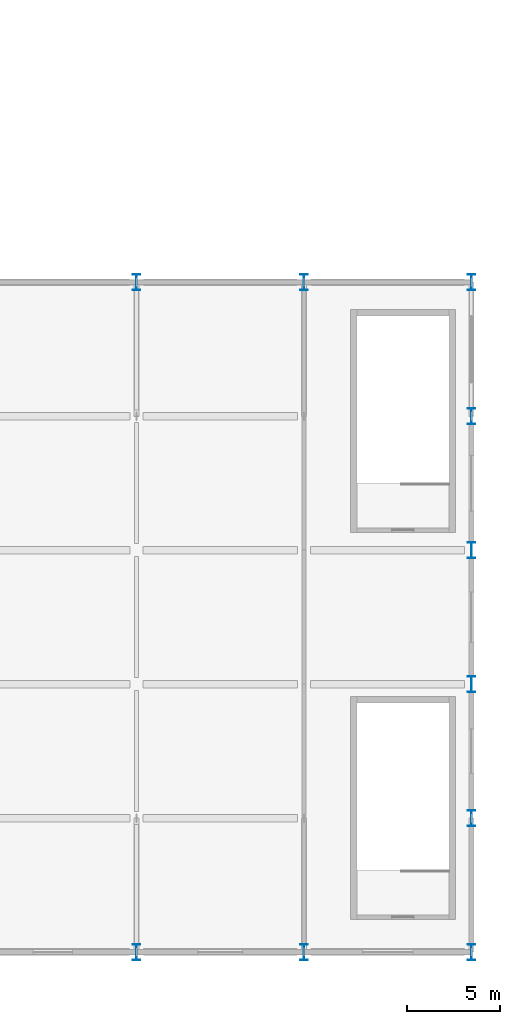
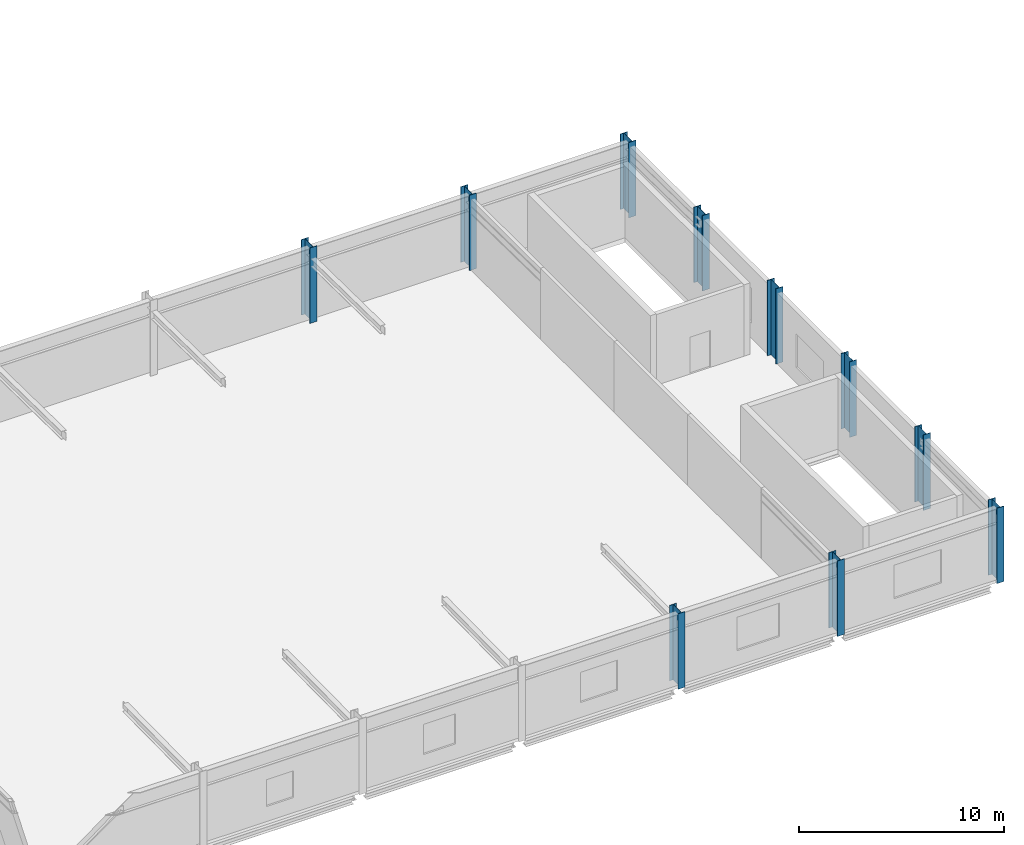
# One storey, part 7 of 151: 10 columns.
"""IFC4 building model written with IfcOpenShell, lengths in metres."""

from ifc_helpers import new_model, si_unit, direction, frame, origin, origin_2d, place, context, subcontext, project, spatial, i_section, extrude, material, material_profile, profile_set, type_object, element, save


model = new_model("IFC4")

# Units and contexts
model_context = context("Model", 3, precision=1e-05, world=origin(), true_north=direction((0.0, 1.0)))
body_context = subcontext(model_context, "Body", "Model", "MODEL_VIEW")
ifc_project = project(units=[si_unit("LENGTHUNIT", "METRE"), si_unit("AREAUNIT", "SQUARE_METRE"), si_unit("VOLUMEUNIT", "CUBIC_METRE"), si_unit("PLANEANGLEUNIT", "RADIAN"), si_unit("MASSUNIT", "GRAM", prefix="KILO")], contexts=[model_context])

# Site, building, storey
site_placement = place(None, origin())
site = spatial("IfcSite", under=ifc_project, at=site_placement, CompositionType="ELEMENT")
building_placement = place(site_placement, origin())
building = spatial("IfcBuilding", under=site, at=building_placement, Name="Celestram Park Convention Centre", CompositionType="ELEMENT")
storey_placement = place(building_placement, frame((0.0, 0.0, 10.800048828125)))
storey = spatial("IfcBuildingStorey", under=building, at=storey_placement, Name="L02", CompositionType="ELEMENT", Elevation=10.800048828125)

# Columns
ifc_material = material(Name="Steel ASTM A992 Grade 50", Category="steel")
ifc_material_profile = material_profile(ifc_material, i_section(OverallWidth=0.40087890625, OverallDepth=0.85595703125, WebThickness=0.018310546875, FlangeThickness=0.029296875, at=origin_2d()), Name="W33X201")
ifc_profile_set = profile_set([ifc_material_profile], Name="Steel ASTM A992 Grade 50")
column_type = type_object("IfcColumnType", Name="STR-COL-W33X201", PredefinedType="COLUMN", material=ifc_profile_set)
for number, where, z_axis, x_axis, name in (
    (1, (198.0, 0.0, 0.0), (0.0, 0.0, 1.0), (1.0, 0.0, 0.0), "Column CN-L02-215"),
    (2, (198.0, 36.0, 0.0), (0.0, 0.0, 1.0), (1.0, 0.0, 0.0), "Column CN-L02-216"),
    (3, (207.0, 0.0, 0.0), (0.0, 0.0, 1.0), (1.0, 0.0, 0.0), "Column CN-L02-219"),
    (4, (207.0, 36.0, 0.0), (0.0, 0.0, 1.0), (1.0, 0.0, 0.0), "Column CN-L02-220"),
    (5, (216.0, 0.0, 0.0), (0.0, 0.0, 1.0), (1.0, 0.0, 0.0), "Column CN-L02-223"),
    (6, (216.0, 7.199951171875, 0.0), (0.0, 0.0, 1.0), (1.0, 0.0, 0.0), "Column CN-L02-224"),
    (7, (216.0, 14.39990234375, 0.0), (0.0, 0.0, 1.0), (1.0, 0.0, 0.0), "Column CN-L02-225"),
    (8, (216.0, 21.60009765625, 0.0), (0.0, 0.0, 1.0), (1.0, 0.0, 0.0), "Column CN-L02-226"),
    (9, (216.0, 28.800048828125, 0.0), (0.0, 0.0, 1.0), (1.0, 0.0, 0.0), "Column CN-L02-227"),
    (10, (216.0, 36.0, 0.0), (0.0, 0.0, 1.0), (1.0, 0.0, 0.0), "Column CN-L02-228"),
):
    element("IfcColumn", number, at=place(storey_placement, frame(where, z_axis=z_axis, x_axis=x_axis)), inside=storey, type_object=column_type, Name=name, PredefinedType="COLUMN", context=body_context, shape_type="SweptSolid", body=[
        extrude(i_section(OverallWidth=0.40087890625, OverallDepth=0.85595703125, WebThickness=0.018310546875, FlangeThickness=0.029296875, at=origin_2d()), origin(), (0.0, 0.0, 1.0), 4.5),
    ])

save(model, "model.ifc")
